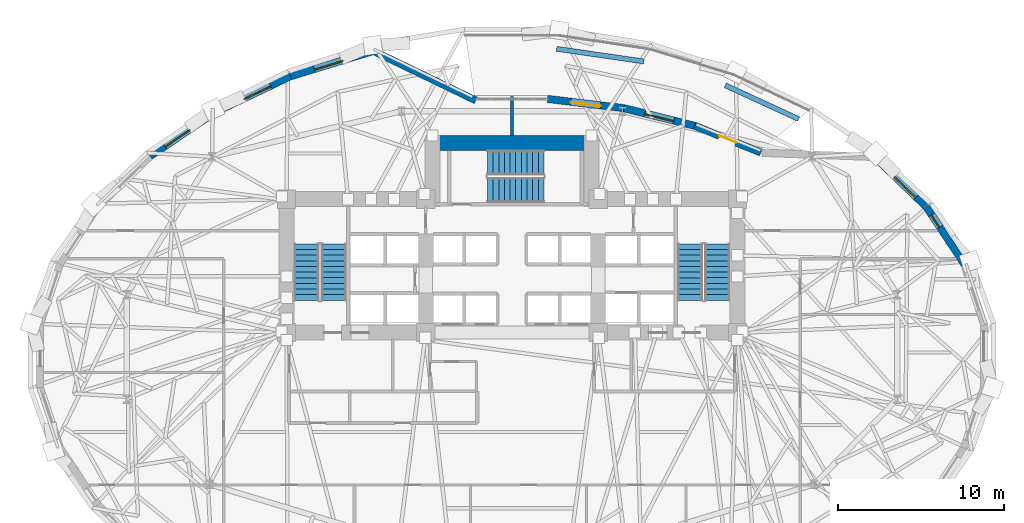
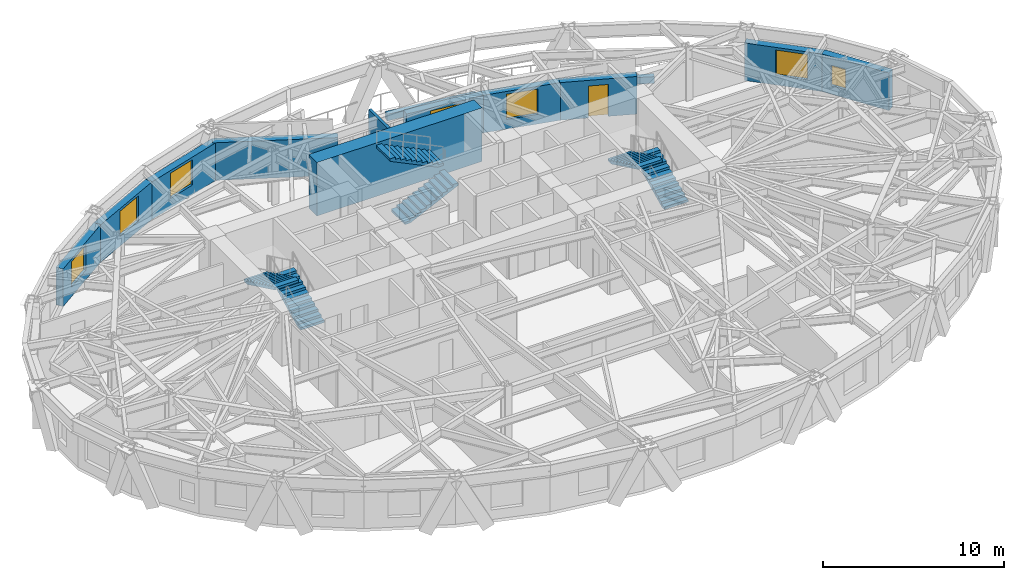
# One storey, part 11 of 15: 13 walls, 7 windows, 6 stair flights, 1 door, 8 openings, 3 elements without a shape of their own.
"""IFC4 building model written with IfcOpenShell, lengths in metres."""

from ifc_helpers import new_model, si_unit, direction, frame, frame_2d, origin, place, context, subcontext, project, spatial, polyline, rectangle, outline, extrude, material, layer, layer_set, type_object, element, fill, aggregate, save


model = new_model("IFC4")

# Units and contexts
model_context = context("Model", 3, precision=1e-05, world=origin(), true_north=direction((0.0, 1.0)))
body_context = subcontext(model_context, "Body", "Model", "MODEL_VIEW")
ifc_project = project(units=[si_unit("LENGTHUNIT", "METRE"), si_unit("AREAUNIT", "SQUARE_METRE"), si_unit("VOLUMEUNIT", "CUBIC_METRE"), si_unit("PLANEANGLEUNIT", "RADIAN"), si_unit("MASSUNIT", "GRAM", prefix="KILO")], contexts=[model_context])

# Site, building, storey
site_placement = place(None, origin())
site = spatial("IfcSite", under=ifc_project, at=site_placement, CompositionType="ELEMENT")
building_placement = place(site_placement, origin())
building = spatial("IfcBuilding", under=site, at=building_placement, Name="Keldmark Tower", CompositionType="ELEMENT")
storey_placement = place(building_placement, frame((0.0, 0.0, 55.800048828125)))
storey = spatial("IfcBuildingStorey", under=building, at=storey_placement, Name="L14", CompositionType="ELEMENT", Elevation=55.800048828125)

# Walls
ifc_material_1 = material(Name="STC-58 Insulated Tenant Demising Gypsum Partition", Category="gypsum")
ifc_layer_1 = layer(ifc_material_1, 0.175048828125)
ifc_layer_set_1 = layer_set([ifc_layer_1], Name="STC-58 Insulated Tenant Demising Gypsum Partition")
wall_type_1 = type_object("IfcWallType", Name="Demising Suite Partition 175 mm", PredefinedType="PARTITIONING", material=ifc_layer_set_1)
wall_1_placement = place(storey_placement, frame((0.0, 13.300048828125, 0.0), z_axis=(0.0, 0.0, 1.0), x_axis=(0.0, 1.0, 0.0)))
element("IfcWall", 1, at=wall_1_placement, inside=storey, type_object=wall_type_1, Name="L14 Demising Suite Partition 175 mm N-MID-DIV", PredefinedType="PARTITIONING", context=body_context, shape_type="SweptSolid", body=[
    extrude(rectangle(XDim=2.354248046875, YDim=0.175048828125, at=frame_2d((1.17724609375, 0.0))), origin(), (0.0, 0.0, 1.0), 3.39990234375),
])
ifc_material_2 = material(Name="Concrete C70/85", Category="concrete")
ifc_layer_2 = layer(ifc_material_2, 0.89990234375)
ifc_layer_set_2 = layer_set([ifc_layer_2], Name="Concrete C70/85")
wall_type_2 = type_object("IfcWallType", Name="Lower Core Shear Wall 900 mm", PredefinedType="SHEAR", material=ifc_layer_set_2)
wall_2_placement = place(storey_placement, frame((-5.25, 12.85009765625, 0.0), z_axis=(0.0, 0.0, 1.0), x_axis=(1.0, 0.0, 0.0)))
element("IfcWall", 2, at=wall_2_placement, inside=storey, type_object=wall_type_2, Name="L14 North Core Shear Wall", PredefinedType="SHEAR", context=body_context, shape_type="SweptSolid", body=[
    extrude(rectangle(XDim=10.5, YDim=0.89990234375, at=frame_2d((5.25, 0.0))), origin(), (0.0, 0.0, 1.0), 3.599853515625),
])
ifc_material_3 = material(Name="Ironspot Manganese Brick Planter Masonry", Category="masonry")
ifc_layer_3 = layer(ifc_material_3, 0.300048828125)
ifc_layer_set_3 = layer_set([ifc_layer_3], Name="Ironspot Manganese Brick Planter Masonry")
wall_type_3 = type_object("IfcWallType", Name="Terrace Brick Planter Kerb Wall 300 mm", PredefinedType="PARAPET", material=ifc_layer_set_3)
wall_3_placement = place(storey_placement, frame((17.29345703125, 14.284912109375, 0.0), z_axis=(0.0, 0.0, 1.0), x_axis=(-0.908369753419, 0.418167898186, 0.0)))
element("IfcWall", 3, at=wall_3_placement, inside=storey, type_object=wall_type_3, Name="L14 Sky Garden Planter 01", PredefinedType="PARAPET", context=body_context, shape_type="SweptSolid", body=[
    extrude(rectangle(XDim=4.870361328125, YDim=0.300048828125, at=frame_2d((2.43505859375, 0.0))), origin(), (0.0, 0.0, 1.0), 0.449951171875),
])
wall_4_placement = place(storey_placement, frame((7.948486328125, 17.762939453125, 0.0), z_axis=(0.0, 0.0, 1.0), x_axis=(-0.989658802498, 0.143441467636, 0.0)))
element("IfcWall", 4, at=wall_4_placement, inside=storey, type_object=wall_type_3, Name="L14 Sky Garden Planter 03", PredefinedType="PARAPET", context=body_context, shape_type="SweptSolid", body=[
    extrude(rectangle(XDim=5.31201171875, YDim=0.300048828125, at=frame_2d((2.656005859375, 0.0))), origin(), (0.0, 0.0, 1.0), 0.449951171875),
])

# Wall, opening, window
ifc_material_4 = material(Name="Ironspot Manganese Brick and Kasota Buff Limestone Spandrel Assembly", Category="masonry")
ifc_layer_4 = layer(ifc_material_4, 0.43994140625)
ifc_layer_set_4 = layer_set([ifc_layer_4], Name="Ironspot Manganese Brick and Kasota Buff Limestone Spandrel Assembly")
wall_type_4 = type_object("IfcWallType", Name="Tower Brick Pier and Spandrel Wall 440 mm", PredefinedType="STANDARD", material=ifc_layer_set_4)
wall_5_placement = place(storey_placement, frame((24.993896484375, 9.001220703125, 0.0), z_axis=(0.0, 0.0, 1.0), x_axis=(0.553144350008, -0.833085426625, 0.0)))
wall_5 = element("IfcWall", 5, at=wall_5_placement, inside=storey, type_object=wall_type_4, Name="L14 Exterior Brick and Spandrel Wall 02", PredefinedType="STANDARD", context=body_context, shape_type="SweptSolid", body=[
    extrude(rectangle(XDim=4.1669921875, YDim=0.43994140625, at=frame_2d((2.08349609375, 0.0))), origin(), (0.0, 0.0, 1.0), 2.529052734375),
])
opening_1_placement = place(wall_5_placement, frame((0.595458984375, 0.0, 0.580078125)))
opening_1 = element("IfcOpeningElement", 6, at=opening_1_placement, cuts=wall_5, Name="Opening W-09", PredefinedType="OPENING", context=body_context, shape_type="SweptSolid", body=[
    extrude(rectangle(XDim=0.89990234375, YDim=1.35009765625, at=frame_2d((0.449951171875, 0.675048828125))), frame((0.0, 0.22998046875, 0.0), z_axis=(0.0, -1.0, 0.0), x_axis=(1.0, 0.0, 0.0)), (0.0, 0.0, 1.0), 0.4599609375),
])
ifc_material_5 = material(Name="Thermally Broken Anodized Aluminum and Triple Low-E Argon Glazing", Category="aluminium")
window_type_1 = type_object("IfcWindowType", Name="Corner Pier Deep-Set Window 900x1350", PartitioningType="SINGLE_PANEL", PredefinedType="WINDOW", material=ifc_material_5)
window_1_placement = place(opening_1_placement, origin())
window_1 = element("IfcWindow", 7, at=window_1_placement, inside=storey, type_object=window_type_1, Name="L14 Deep-Set Window 02", OverallHeight=1.35009765625, OverallWidth=0.89990234375, PartitioningType="SINGLE_PANEL", PredefinedType="WINDOW", context=body_context, shape_type="SweptSolid", body=[
    extrude(rectangle(XDim=0.89990234375, YDim=1.35009765625, at=frame_2d((0.449951171875, 0.675048828125))), frame((0.0, -0.010009765625, 0.0), z_axis=(0.0, -1.0, 0.0), x_axis=(1.0, 0.0, 0.0)), (0.0, 0.0, 1.0), 0.06005859375),
])
fill(opening_1, window_1)

wall_6_placement = place(storey_placement, frame((21.81201171875, 12.061279296875, 0.0), z_axis=(0.0, 0.0, 1.0), x_axis=(0.719928259859, -0.694048485811, 0.0)))
wall_6 = element("IfcWall", 8, at=wall_6_placement, inside=storey, type_object=wall_type_4, Name="L14 Exterior Brick and Spandrel Wall 03", PredefinedType="STANDARD", context=body_context, shape_type="SweptSolid", body=[
    extrude(rectangle(XDim=4.462158203125, YDim=0.43994140625, at=frame_2d((2.23095703125, 0.0))), origin(), (0.0, 0.0, 1.0), 2.529052734375),
])
opening_2_placement = place(wall_6_placement, frame((1.773681640625, 0.0, 0.64990234375)))
opening_2 = element("IfcOpeningElement", 9, at=opening_2_placement, cuts=wall_6, Name="Opening W-02", PredefinedType="OPENING", context=body_context, shape_type="SweptSolid", body=[
    extrude(rectangle(XDim=1.800048828125, YDim=1.699951171875, at=frame_2d((0.89990234375, 0.85009765625))), frame((0.0, 0.22998046875, 0.0), z_axis=(0.0, -1.0, 0.0), x_axis=(1.0, 0.0, 0.0)), (0.0, 0.0, 1.0), 0.4599609375),
])
ifc_material_6 = material(Name="Thermally Broken Anodized Aluminum and Triple Low-E Argon Glazing", Category="aluminium")
window_type_2 = type_object("IfcWindowType", Name="Office Deep-Set Triple Window 1800x1700", PartitioningType="TRIPLE_PANEL_VERTICAL", PredefinedType="WINDOW", material=ifc_material_6)
window_2_placement = place(opening_2_placement, origin())
window_2 = element("IfcWindow", 10, at=window_2_placement, inside=storey, type_object=window_type_2, Name="L14 Deep-Set Window 03", OverallHeight=1.699951171875, OverallWidth=1.800048828125, PartitioningType="SINGLE_PANEL", PredefinedType="WINDOW", context=body_context, shape_type="SweptSolid", body=[
    extrude(rectangle(XDim=1.800048828125, YDim=1.699951171875, at=frame_2d((0.89990234375, 0.85009765625))), frame((0.0, -0.010009765625, 0.0), z_axis=(0.0, -1.0, 0.0), x_axis=(1.0, 0.0, 0.0)), (0.0, 0.0, 1.0), 0.06005859375),
])
fill(opening_2, window_2)

# Wall, opening, door
wall_7_placement = place(storey_placement, frame((11.022216796875, 13.879638671875, 0.0), z_axis=(0.0, 0.0, 1.0), x_axis=(0.927093714831, -0.374829619856, 0.0)))
wall_7 = element("IfcWall", 11, at=wall_7_placement, inside=storey, type_object=wall_type_4, Name="L14 Exterior Brick and Spandrel Wall 05", PredefinedType="STANDARD", context=body_context, shape_type="SweptSolid", body=[
    extrude(rectangle(XDim=4.305419921875, YDim=0.43994140625, at=frame_2d((2.15283203125, 0.0))), origin(), (0.0, 0.0, 1.0), 2.532958984375),
])
opening_3_placement = place(wall_7_placement, frame((1.602783203125, 0.0, 0.0)))
opening_3 = element("IfcOpeningElement", 12, at=opening_3_placement, cuts=wall_7, Name="Opening TD-01", PredefinedType="OPENING", context=body_context, shape_type="SweptSolid", body=[
    extrude(rectangle(XDim=1.10009765625, YDim=2.14990234375, at=frame_2d((0.550048828125, 1.074951171875))), frame((0.0, 0.22998046875, 0.0), z_axis=(0.0, -1.0, 0.0), x_axis=(1.0, 0.0, 0.0)), (0.0, 0.0, 1.0), 0.4599609375),
])
ifc_material_7 = material(Name="Thermally Broken Painted Aluminum and Laminated Safety Glass", Category="aluminium")
door_type = type_object("IfcDoorType", Name="Sky Garden Terrace Glazed Door 1100x2150", OperationType="SINGLE_SWING_LEFT", PredefinedType="DOOR", material=ifc_material_7)
door_placement = place(opening_3_placement, origin())
door = element("IfcDoor", 13, at=door_placement, inside=storey, type_object=door_type, Name="L14 Sky-Garden Terrace Door 05", OperationType="SINGLE_SWING_LEFT", OverallHeight=2.14990234375, OverallWidth=1.10009765625, PredefinedType="DOOR", context=body_context, shape_type="SweptSolid", body=[
    extrude(rectangle(XDim=1.10009765625, YDim=2.14990234375, at=frame_2d((0.550048828125, 1.074951171875))), frame((0.0, 0.02490234375, 0.0), z_axis=(0.0, -1.0, 0.0), x_axis=(1.0, 0.0, 0.0)), (0.0, 0.0, 1.0), 0.050048828125),
])
fill(opening_3, door)

# Wall, opening, window
wall_8_placement = place(storey_placement, frame((6.731201171875, 14.947998046875, 0.0), z_axis=(0.0, 0.0, 1.0), x_axis=(0.970258497986, -0.242071161201, 0.0)))
wall_8 = element("IfcWall", 14, at=wall_8_placement, inside=storey, type_object=wall_type_4, Name="L14 Exterior Brick and Spandrel Wall 06", PredefinedType="STANDARD", context=body_context, shape_type="SweptSolid", body=[
    extrude(rectangle(XDim=4.45263671875, YDim=0.43994140625, at=frame_2d((2.226318359375, 0.0))), origin(), (0.0, 0.0, 1.0), 2.532958984375),
])
opening_4_placement = place(wall_8_placement, frame((1.326416015625, 0.0, 0.64990234375)))
opening_4 = element("IfcOpeningElement", 15, at=opening_4_placement, cuts=wall_8, Name="Opening W-02", PredefinedType="OPENING", context=body_context, shape_type="SweptSolid", body=[
    extrude(rectangle(XDim=1.800048828125, YDim=1.699951171875, at=frame_2d((0.89990234375, 0.85009765625))), frame((0.0, 0.22998046875, 0.0), z_axis=(0.0, -1.0, 0.0), x_axis=(1.0, 0.0, 0.0)), (0.0, 0.0, 1.0), 0.4599609375),
])
window_3_placement = place(opening_4_placement, origin())
window_3 = element("IfcWindow", 16, at=window_3_placement, inside=storey, type_object=window_type_2, Name="L14 Deep-Set Window 06", OverallHeight=1.699951171875, OverallWidth=1.800048828125, PartitioningType="SINGLE_PANEL", PredefinedType="WINDOW", context=body_context, shape_type="SweptSolid", body=[
    extrude(rectangle(XDim=1.800048828125, YDim=1.699951171875, at=frame_2d((0.89990234375, 0.85009765625))), frame((0.0, -0.010009765625, 0.0), z_axis=(0.0, -1.0, 0.0), x_axis=(1.0, 0.0, 0.0)), (0.0, 0.0, 1.0), 0.06005859375),
])
fill(opening_4, window_3)

wall_9_placement = place(storey_placement, frame((2.14111328125, 15.499755859375, 0.0), z_axis=(0.0, 0.0, 1.0), x_axis=(0.992811109043, -0.119691694618, 0.0)))
wall_9 = element("IfcWall", 17, at=wall_9_placement, inside=storey, type_object=wall_type_4, Name="L14 Exterior Brick and Spandrel Wall 07", PredefinedType="STANDARD", context=body_context, shape_type="SweptSolid", body=[
    extrude(rectangle(XDim=4.650634765625, YDim=0.43994140625, at=frame_2d((2.3251953125, 0.0))), origin(), (0.0, 0.0, 1.0), 2.532958984375),
])
opening_5_placement = place(wall_9_placement, frame((1.42529296875, 0.0, 0.64990234375)))
opening_5 = element("IfcOpeningElement", 18, at=opening_5_placement, cuts=wall_9, Name="Opening W-02", PredefinedType="OPENING", context=body_context, shape_type="SweptSolid", body=[
    extrude(rectangle(XDim=1.800048828125, YDim=1.699951171875, at=frame_2d((0.89990234375, 0.85009765625))), frame((0.0, 0.22998046875, 0.0), z_axis=(0.0, -1.0, 0.0), x_axis=(1.0, 0.0, 0.0)), (0.0, 0.0, 1.0), 0.4599609375),
])
window_4_placement = place(opening_5_placement, origin())
window_4 = element("IfcWindow", 19, at=window_4_placement, inside=storey, type_object=window_type_2, Name="L14 Deep-Set Window 07", OverallHeight=1.699951171875, OverallWidth=1.800048828125, PartitioningType="SINGLE_PANEL", PredefinedType="WINDOW", context=body_context, shape_type="SweptSolid", body=[
    extrude(rectangle(XDim=1.800048828125, YDim=1.699951171875, at=frame_2d((0.89990234375, 0.85009765625))), frame((0.0, -0.010009765625, 0.0), z_axis=(0.0, -1.0, 0.0), x_axis=(1.0, 0.0, 0.0)), (0.0, 0.0, 1.0), 0.06005859375),
])
fill(opening_5, window_4)

# Wall
wall_10_placement = place(storey_placement, frame((-8.432373046875, 18.431884765625, 0.0), z_axis=(0.0, 0.0, 1.0), x_axis=(0.900412531656, -0.435037093634, 0.0)))
element("IfcWall", 20, at=wall_10_placement, inside=storey, type_object=wall_type_4, Name="L14 Exterior Brick and Spandrel Wall 09", PredefinedType="STANDARD", context=body_context, shape_type="SweptSolid", body=[
    extrude(rectangle(XDim=6.94482421875, YDim=0.43994140625, at=frame_2d((3.472412109375, 0.0))), origin(), (0.0, 0.0, 1.0), 2.532958984375),
])

# Wall, opening, window
wall_11_placement = place(storey_placement, frame((-13.393310546875, 16.857177734375, 0.0), z_axis=(0.0, 0.0, 1.0), x_axis=(0.956466543593, 0.291841996615, 0.0)))
wall_11 = element("IfcWall", 21, at=wall_11_placement, inside=storey, type_object=wall_type_4, Name="L14 Exterior Brick and Spandrel Wall 10", PredefinedType="STANDARD", context=body_context, shape_type="SweptSolid", body=[
    extrude(rectangle(XDim=5.35400390625, YDim=0.43994140625, at=frame_2d((2.677001953125, 0.0))), origin(), (0.0, 0.0, 1.0), 2.529052734375),
])
opening_6_placement = place(wall_11_placement, frame((1.530517578125, 0.0, 0.64990234375)))
opening_6 = element("IfcOpeningElement", 22, at=opening_6_placement, cuts=wall_11, Name="Opening W-02", PredefinedType="OPENING", context=body_context, shape_type="SweptSolid", body=[
    extrude(rectangle(XDim=1.800048828125, YDim=1.699951171875, at=frame_2d((0.89990234375, 0.85009765625))), frame((0.0, 0.22998046875, 0.0), z_axis=(0.0, -1.0, 0.0), x_axis=(1.0, 0.0, 0.0)), (0.0, 0.0, 1.0), 0.4599609375),
])
window_5_placement = place(opening_6_placement, origin())
window_5 = element("IfcWindow", 23, at=window_5_placement, inside=storey, type_object=window_type_2, Name="L14 Deep-Set Window 10", OverallHeight=1.699951171875, OverallWidth=1.800048828125, PartitioningType="SINGLE_PANEL", PredefinedType="WINDOW", context=body_context, shape_type="SweptSolid", body=[
    extrude(rectangle(XDim=1.800048828125, YDim=1.699951171875, at=frame_2d((0.89990234375, 0.85009765625))), frame((0.0, -0.010009765625, 0.0), z_axis=(0.0, -1.0, 0.0), x_axis=(1.0, 0.0, 0.0)), (0.0, 0.0, 1.0), 0.06005859375),
])
fill(opening_6, window_5)

wall_12_placement = place(storey_placement, frame((-17.93115234375, 14.691162109375, 0.0), z_axis=(0.0, 0.0, 1.0), x_axis=(0.902682101727, 0.430308056189, 0.0)))
wall_12 = element("IfcWall", 24, at=wall_12_placement, inside=storey, type_object=wall_type_4, Name="L14 Exterior Brick and Spandrel Wall 11", PredefinedType="STANDARD", context=body_context, shape_type="SweptSolid", body=[
    extrude(rectangle(XDim=5.060791015625, YDim=0.43994140625, at=frame_2d((2.5302734375, 0.0))), origin(), (0.0, 0.0, 1.0), 2.529052734375),
])
opening_7_placement = place(wall_12_placement, frame((1.926513671875, 0.0, 0.64990234375)))
opening_7 = element("IfcOpeningElement", 25, at=opening_7_placement, cuts=wall_12, Name="Opening W-02", PredefinedType="OPENING", context=body_context, shape_type="SweptSolid", body=[
    extrude(rectangle(XDim=1.800048828125, YDim=1.699951171875, at=frame_2d((0.89990234375, 0.85009765625))), frame((0.0, 0.22998046875, 0.0), z_axis=(0.0, -1.0, 0.0), x_axis=(1.0, 0.0, 0.0)), (0.0, 0.0, 1.0), 0.4599609375),
])
window_6_placement = place(opening_7_placement, origin())
window_6 = element("IfcWindow", 26, at=window_6_placement, inside=storey, type_object=window_type_2, Name="L14 Deep-Set Window 11", OverallHeight=1.699951171875, OverallWidth=1.800048828125, PartitioningType="SINGLE_PANEL", PredefinedType="WINDOW", context=body_context, shape_type="SweptSolid", body=[
    extrude(rectangle(XDim=1.800048828125, YDim=1.699951171875, at=frame_2d((0.89990234375, 0.85009765625))), frame((0.0, -0.010009765625, 0.0), z_axis=(0.0, -1.0, 0.0), x_axis=(1.0, 0.0, 0.0)), (0.0, 0.0, 1.0), 0.06005859375),
])
fill(opening_7, window_6)

wall_13_placement = place(storey_placement, frame((-21.84130859375, 12.03759765625, 0.0), z_axis=(0.0, 0.0, 1.0), x_axis=(0.827723442454, 0.561136260468, 0.0)))
wall_13 = element("IfcWall", 27, at=wall_13_placement, inside=storey, type_object=wall_type_4, Name="L14 Exterior Brick and Spandrel Wall 12", PredefinedType="STANDARD", context=body_context, shape_type="SweptSolid", body=[
    extrude(rectangle(XDim=4.758544921875, YDim=0.43994140625, at=frame_2d((2.37939453125, 0.0))), origin(), (0.0, 0.0, 1.0), 2.529052734375),
])
opening_8_placement = place(wall_13_placement, frame((1.085693359375, 0.0, 0.64990234375)))
opening_8 = element("IfcOpeningElement", 28, at=opening_8_placement, cuts=wall_13, Name="Opening W-02", PredefinedType="OPENING", context=body_context, shape_type="SweptSolid", body=[
    extrude(rectangle(XDim=1.800048828125, YDim=1.699951171875, at=frame_2d((0.89990234375, 0.85009765625))), frame((0.0, 0.22998046875, 0.0), z_axis=(0.0, -1.0, 0.0), x_axis=(1.0, 0.0, 0.0)), (0.0, 0.0, 1.0), 0.4599609375),
])
window_7_placement = place(opening_8_placement, origin())
window_7 = element("IfcWindow", 29, at=window_7_placement, inside=storey, type_object=window_type_2, Name="L14 Deep-Set Window 12", OverallHeight=1.699951171875, OverallWidth=1.800048828125, PartitioningType="SINGLE_PANEL", PredefinedType="WINDOW", context=body_context, shape_type="SweptSolid", body=[
    extrude(rectangle(XDim=1.800048828125, YDim=1.699951171875, at=frame_2d((0.89990234375, 0.85009765625))), frame((0.0, -0.010009765625, 0.0), z_axis=(0.0, -1.0, 0.0), x_axis=(1.0, 0.0, 0.0)), (0.0, 0.0, 1.0), 0.06005859375),
])
fill(opening_8, window_7)

# Stair, stair flights
ifc_material_8 = material(Name="Concrete C40/50", Category="concrete")
stair_type = type_object("IfcStairType", Name="Precast Concrete Core Exit Stair", PredefinedType="HALF_TURN_STAIR", material=ifc_material_8)
stair_1_placement = place(storey_placement, origin())
stair_1 = element("IfcStair", 30, at=stair_1_placement, inside=storey, type_object=stair_type, Name="L14 Exit Stair ST1", PredefinedType="HALF_TURN_STAIR")
ifc_material_9 = material(Name="Concrete C40/50", Category="concrete")
stair_flight_type = type_object("IfcStairFlightType", Name="Precast Concrete Stair Flight 1500 mm", PredefinedType="STRAIGHT", material=ifc_material_9)
stair_flight_1_placement = place(storey_placement, frame((-10.75, 3.35009765625, 0.0), z_axis=(0.0, 0.0, 1.0), x_axis=(0.0, 1.0, 0.0)))
stair_flight_1 = element("IfcStairFlight", 31, at=stair_flight_1_placement, type_object=stair_flight_type, Name="ST1 flight 1", NumberOfRisers=11, NumberOfTreads=10, PredefinedType="STRAIGHT", RiserHeight=0.163636364, TreadLength=0.34, context=body_context, shape_type="SweptSolid", body=[
    extrude(outline(polyline([(0.0, 0.0), (0.0, 0.16357421875), (0.340087890625, 0.16357421875), (0.340087890625, 0.327392578125), (0.679931640625, 0.327392578125), (0.679931640625, 0.490966796875), (1.02001953125, 0.490966796875), (1.02001953125, 0.654541015625), (1.360107421875, 0.654541015625), (1.360107421875, 0.818115234375), (1.699951171875, 0.818115234375), (1.699951171875, 0.98193359375), (2.0400390625, 0.98193359375), (2.0400390625, 1.1455078125), (2.3798828125, 1.1455078125), (2.3798828125, 1.30908203125), (2.719970703125, 1.30908203125), (2.719970703125, 1.47265625), (3.06005859375, 1.47265625), (3.06005859375, 1.636474609375), (3.39990234375, 1.636474609375), (3.39990234375, 1.800048828125), (3.39990234375, 1.469970703125), (0.345703125, 0.0), (0.0, 0.0)])), frame((0.0, 0.75, 0.0), z_axis=(0.0, -1.0, 0.0), x_axis=(1.0, 0.0, 0.0)), (0.0, 0.0, 1.0), 1.5),
])
stair_flight_2_placement = place(storey_placement, frame((-12.39990234375, 6.75, 1.800048828125), z_axis=(0.0, 0.0, 1.0), x_axis=(0.0, -1.0, 0.0)))
stair_flight_2 = element("IfcStairFlight", 32, at=stair_flight_2_placement, type_object=stair_flight_type, Name="ST1 flight 2", NumberOfRisers=11, NumberOfTreads=10, PredefinedType="STRAIGHT", RiserHeight=0.163636364, TreadLength=0.34, context=body_context, shape_type="SweptSolid", body=[
    extrude(outline(polyline([(0.0, 0.0), (0.0, 0.16357421875), (0.340087890625, 0.16357421875), (0.340087890625, 0.327392578125), (0.679931640625, 0.327392578125), (0.679931640625, 0.490966796875), (1.02001953125, 0.490966796875), (1.02001953125, 0.654541015625), (1.360107421875, 0.654541015625), (1.360107421875, 0.818115234375), (1.699951171875, 0.818115234375), (1.699951171875, 0.98193359375), (2.0400390625, 0.98193359375), (2.0400390625, 1.1455078125), (2.3798828125, 1.1455078125), (2.3798828125, 1.30908203125), (2.719970703125, 1.30908203125), (2.719970703125, 1.47265625), (3.06005859375, 1.47265625), (3.06005859375, 1.636474609375), (3.39990234375, 1.636474609375), (3.39990234375, 1.800048828125), (3.39990234375, 1.469970703125), (0.345703125, 0.0), (0.0, 0.0)])), frame((0.0, 0.75, 0.0), z_axis=(0.0, -1.0, 0.0), x_axis=(1.0, 0.0, 0.0)), (0.0, 0.0, 1.0), 1.5),
])
aggregate(stair_1, [stair_flight_1, stair_flight_2])

stair_2_placement = place(storey_placement, origin())
stair_2 = element("IfcStair", 33, at=stair_2_placement, inside=storey, type_object=stair_type, Name="L14 Exit Stair ST2", PredefinedType="HALF_TURN_STAIR")
stair_flight_3_placement = place(storey_placement, frame((12.39990234375, 3.35009765625, 0.0), z_axis=(0.0, 0.0, 1.0), x_axis=(0.0, 1.0, 0.0)))
stair_flight_3 = element("IfcStairFlight", 34, at=stair_flight_3_placement, type_object=stair_flight_type, Name="ST2 flight 1", NumberOfRisers=11, NumberOfTreads=10, PredefinedType="STRAIGHT", RiserHeight=0.163636364, TreadLength=0.34, context=body_context, shape_type="SweptSolid", body=[
    extrude(outline(polyline([(0.0, 0.0), (0.0, 0.16357421875), (0.340087890625, 0.16357421875), (0.340087890625, 0.327392578125), (0.679931640625, 0.327392578125), (0.679931640625, 0.490966796875), (1.02001953125, 0.490966796875), (1.02001953125, 0.654541015625), (1.360107421875, 0.654541015625), (1.360107421875, 0.818115234375), (1.699951171875, 0.818115234375), (1.699951171875, 0.98193359375), (2.0400390625, 0.98193359375), (2.0400390625, 1.1455078125), (2.3798828125, 1.1455078125), (2.3798828125, 1.30908203125), (2.719970703125, 1.30908203125), (2.719970703125, 1.47265625), (3.06005859375, 1.47265625), (3.06005859375, 1.636474609375), (3.39990234375, 1.636474609375), (3.39990234375, 1.800048828125), (3.39990234375, 1.469970703125), (0.345703125, 0.0), (0.0, 0.0)])), frame((0.0, 0.75, 0.0), z_axis=(0.0, -1.0, 0.0), x_axis=(1.0, 0.0, 0.0)), (0.0, 0.0, 1.0), 1.5),
])
stair_flight_4_placement = place(storey_placement, frame((10.75, 6.75, 1.800048828125), z_axis=(0.0, 0.0, 1.0), x_axis=(0.0, -1.0, 0.0)))
stair_flight_4 = element("IfcStairFlight", 35, at=stair_flight_4_placement, type_object=stair_flight_type, Name="ST2 flight 2", NumberOfRisers=11, NumberOfTreads=10, PredefinedType="STRAIGHT", RiserHeight=0.163636364, TreadLength=0.34, context=body_context, shape_type="SweptSolid", body=[
    extrude(outline(polyline([(0.0, 0.0), (0.0, 0.16357421875), (0.340087890625, 0.16357421875), (0.340087890625, 0.327392578125), (0.679931640625, 0.327392578125), (0.679931640625, 0.490966796875), (1.02001953125, 0.490966796875), (1.02001953125, 0.654541015625), (1.360107421875, 0.654541015625), (1.360107421875, 0.818115234375), (1.699951171875, 0.818115234375), (1.699951171875, 0.98193359375), (2.0400390625, 0.98193359375), (2.0400390625, 1.1455078125), (2.3798828125, 1.1455078125), (2.3798828125, 1.30908203125), (2.719970703125, 1.30908203125), (2.719970703125, 1.47265625), (3.06005859375, 1.47265625), (3.06005859375, 1.636474609375), (3.39990234375, 1.636474609375), (3.39990234375, 1.800048828125), (3.39990234375, 1.469970703125), (0.345703125, 0.0), (0.0, 0.0)])), frame((0.0, 0.75, 0.0), z_axis=(0.0, -1.0, 0.0), x_axis=(1.0, 0.0, 0.0)), (0.0, 0.0, 1.0), 1.5),
])
aggregate(stair_2, [stair_flight_3, stair_flight_4])

stair_3_placement = place(storey_placement, origin())
stair_3 = element("IfcStair", 36, at=stair_3_placement, inside=storey, type_object=stair_type, Name="L14 Exit Stair ST3", PredefinedType="HALF_TURN_STAIR")
stair_flight_5_placement = place(storey_placement, frame((-1.47509765625, 10.0, 0.0), z_axis=(0.0, 0.0, 1.0), x_axis=(1.0, 0.0, 0.0)))
stair_flight_5 = element("IfcStairFlight", 37, at=stair_flight_5_placement, type_object=stair_flight_type, Name="ST3 flight 1", NumberOfRisers=11, NumberOfTreads=10, PredefinedType="STRAIGHT", RiserHeight=0.163636364, TreadLength=0.34, context=body_context, shape_type="SweptSolid", body=[
    extrude(outline(polyline([(0.0, 0.0), (0.0, 0.16357421875), (0.340087890625, 0.16357421875), (0.340087890625, 0.327392578125), (0.679931640625, 0.327392578125), (0.679931640625, 0.490966796875), (1.02001953125, 0.490966796875), (1.02001953125, 0.654541015625), (1.360107421875, 0.654541015625), (1.360107421875, 0.818115234375), (1.699951171875, 0.818115234375), (1.699951171875, 0.98193359375), (2.0400390625, 0.98193359375), (2.0400390625, 1.1455078125), (2.3798828125, 1.1455078125), (2.3798828125, 1.30908203125), (2.719970703125, 1.30908203125), (2.719970703125, 1.47265625), (3.06005859375, 1.47265625), (3.06005859375, 1.636474609375), (3.39990234375, 1.636474609375), (3.39990234375, 1.800048828125), (3.39990234375, 1.469970703125), (0.345703125, 0.0), (0.0, 0.0)])), frame((0.0, 0.75, 0.0), z_axis=(0.0, -1.0, 0.0), x_axis=(1.0, 0.0, 0.0)), (0.0, 0.0, 1.0), 1.5),
])
stair_flight_6_placement = place(storey_placement, frame((1.925048828125, 11.64990234375, 1.800048828125), z_axis=(0.0, 0.0, 1.0), x_axis=(-1.0, 0.0, 0.0)))
stair_flight_6 = element("IfcStairFlight", 38, at=stair_flight_6_placement, type_object=stair_flight_type, Name="ST3 flight 2", NumberOfRisers=11, NumberOfTreads=10, PredefinedType="STRAIGHT", RiserHeight=0.163636364, TreadLength=0.34, context=body_context, shape_type="SweptSolid", body=[
    extrude(outline(polyline([(0.0, 0.0), (0.0, 0.16357421875), (0.340087890625, 0.16357421875), (0.340087890625, 0.327392578125), (0.679931640625, 0.327392578125), (0.679931640625, 0.490966796875), (1.02001953125, 0.490966796875), (1.02001953125, 0.654541015625), (1.360107421875, 0.654541015625), (1.360107421875, 0.818115234375), (1.699951171875, 0.818115234375), (1.699951171875, 0.98193359375), (2.0400390625, 0.98193359375), (2.0400390625, 1.1455078125), (2.3798828125, 1.1455078125), (2.3798828125, 1.30908203125), (2.719970703125, 1.30908203125), (2.719970703125, 1.47265625), (3.06005859375, 1.47265625), (3.06005859375, 1.636474609375), (3.39990234375, 1.636474609375), (3.39990234375, 1.800048828125), (3.39990234375, 1.469970703125), (0.345703125, 0.0), (0.0, 0.0)])), frame((0.0, 0.75, 0.0), z_axis=(0.0, -1.0, 0.0), x_axis=(1.0, 0.0, 0.0)), (0.0, 0.0, 1.0), 1.5),
])
aggregate(stair_3, [stair_flight_5, stair_flight_6])

save(model, "model.ifc")
